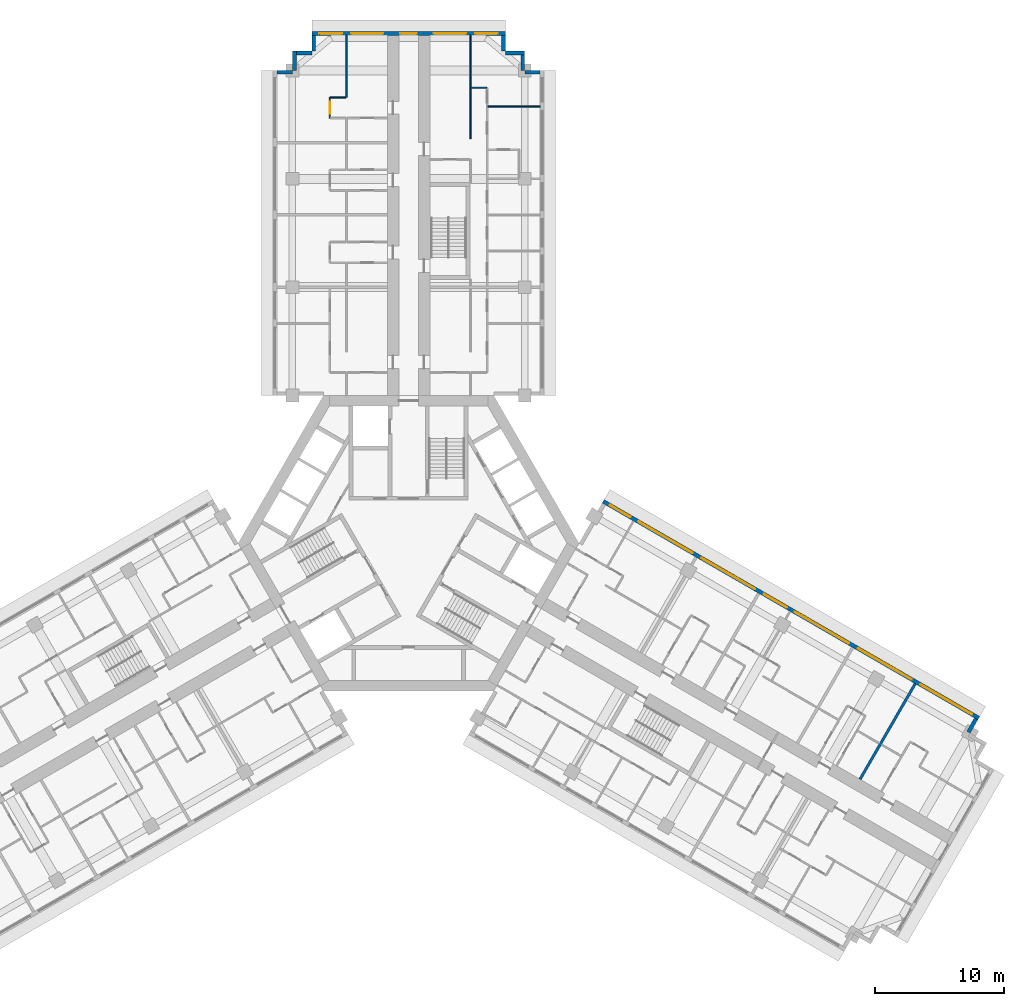
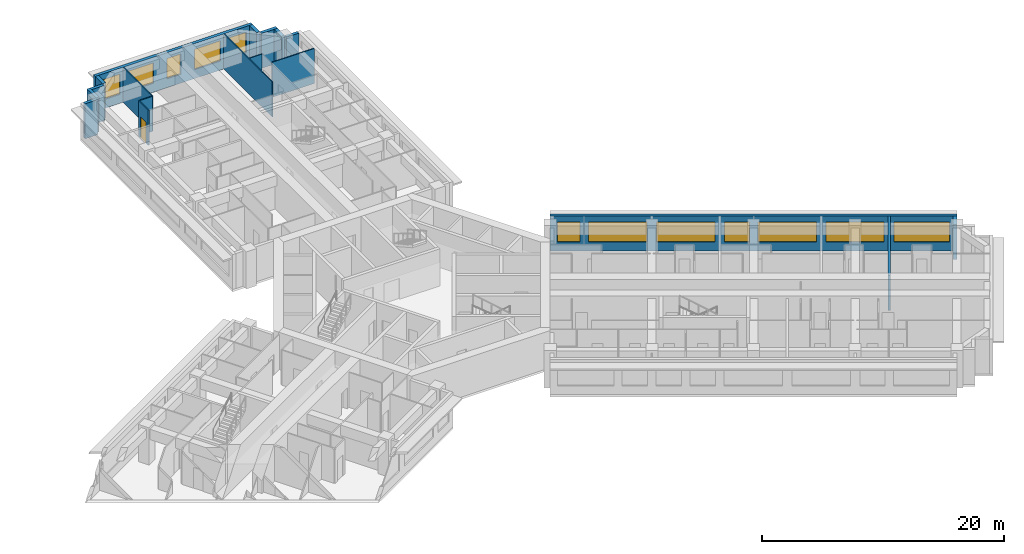
# One storey, part 13 of 15: 18 walls, 12 windows, 1 door, 13 openings.
"""IFC4 building model written with IfcOpenShell, lengths in metres."""

import ifcopenshell
import ifcopenshell.guid

model = None  # the IFC model being written
_history = None  # IfcOwnerHistory: only IFC2X3 demands one
_inside = {}  # id of a spatial element -> (the spatial element, [elements in it])
_under = {}  # id of a project, library or spatial element -> (it, [spatial elements below it])
_declared = {}  # id of a project -> (the project, [libraries it declares])
_typed = {}  # id of a type object -> (the type object, [elements of that type])
_made_of = {}  # id of a material, layer set ... -> (it, [elements and type objects made of it])


def new_model(schema):
    """Start an empty IFC model of exactly this schema.

    Asked for "IFC4X3", IfcOpenShell would pick the latest addendum, in which some entities
    have other attributes; the version numbers below select the first issue.
    IFC2X3 requires an IfcOwnerHistory on every rooted entity: one is made here for all.
    """
    global model, _history
    if schema == "IFC4X3":
        model = ifcopenshell.file(schema_version=(4, 3, 0, 0))
    else:
        model = ifcopenshell.file(schema=schema)
    _inside.clear()
    _under.clear()
    _declared.clear()
    _typed.clear()
    _made_of.clear()
    _history = None
    if model.schema == "IFC2X3":
        org = make("IfcOrganization", Name="unknown")
        user = make(
            "IfcPersonAndOrganization",
            ThePerson=make("IfcPerson", FamilyName="unknown"),
            TheOrganization=org,
        )
        app = make(
            "IfcApplication",
            ApplicationDeveloper=org,
            Version="unknown",
            ApplicationFullName="unknown",
            ApplicationIdentifier="unknown",
        )
        _history = make(
            "IfcOwnerHistory",
            OwningUser=user,
            OwningApplication=app,
            ChangeAction="ADDED",
            CreationDate=0,
        )
    return model


def make(cls, **values):
    """One entity of the class cls with the attributes given. An attribute that is None is left unset."""
    return model.create_entity(
        cls, **{name: value for name, value in values.items() if value is not None}
    )


def rooted(cls, **values):
    """An entity with a GlobalId (a new one), such as an element, a storey or a relation."""
    return make(cls, GlobalId=ifcopenshell.guid.new(), OwnerHistory=_history, **values)


def si_unit(unit_type, name, prefix=None):
    """IfcSIUnit, for example si_unit("LENGTHUNIT", "METRE", prefix="MILLI")."""
    return make("IfcSIUnit", UnitType=unit_type, Prefix=prefix, Name=name)


def assignment(units):
    """IfcUnitAssignment: the units of a project."""
    return None if units is None else make("IfcUnitAssignment", Units=units)


def point(xyz):
    """IfcCartesianPoint."""
    return None if xyz is None else make("IfcCartesianPoint", Coordinates=xyz)


def direction(xyz):
    """IfcDirection."""
    return None if xyz is None else make("IfcDirection", DirectionRatios=xyz)


def frame(location, z_axis=None, x_axis=None):
    """IfcAxis2Placement3D, a coordinate frame: its origin and axes. An axis left out is left unset."""
    return make(
        "IfcAxis2Placement3D",
        Location=point(location),
        Axis=direction(z_axis),
        RefDirection=direction(x_axis),
    )


def frame_2d(location, x_axis=None):
    """IfcAxis2Placement2D, a coordinate frame in the plane: its origin and x axis."""
    return make(
        "IfcAxis2Placement2D", Location=point(location), RefDirection=direction(x_axis)
    )


def origin():
    """The frame at (0, 0, 0) with its axes left unset."""
    return frame((0.0, 0.0, 0.0))


def place(relative_to, where):
    """IfcLocalPlacement: puts the frame where relative to a parent placement (None: the world)."""
    return make(
        "IfcLocalPlacement", PlacementRelTo=relative_to, RelativePlacement=where
    )


def context(
    kind, dimensions, precision=None, world=None, true_north=None, identifier=None
):
    """IfcGeometricRepresentationContext, for example the 3D "Model" context."""
    return make(
        "IfcGeometricRepresentationContext",
        ContextIdentifier=identifier,
        ContextType=kind,
        CoordinateSpaceDimension=dimensions,
        Precision=precision,
        WorldCoordinateSystem=world,
        TrueNorth=true_north,
    )


def subcontext(parent, identifier, kind, view, scale=None):
    """IfcGeometricRepresentationSubContext, for example "Body" below "Model"."""
    return make(
        "IfcGeometricRepresentationSubContext",
        ContextIdentifier=identifier,
        ContextType=kind,
        ParentContext=parent,
        TargetScale=scale,
        TargetView=view,
    )


def project(units=None, contexts=None):
    """IfcProject with its units and contexts."""
    return rooted(
        "IfcProject",
        Name="project",
        RepresentationContexts=contexts,
        UnitsInContext=assignment(units),
    )


def spatial(cls, under=None, at=None, **own):
    """A site, building, storey or space (cls), placed at a placement, below another one or the project."""
    s = rooted(cls, ObjectPlacement=at, **own)
    if under is not None:
        _under.setdefault(under.id(), (under, []))[1].append(s)
    return s


def profile(cls, at=None, kind="AREA", **sizes):
    """A parametric profile (cls). Its sizes go by their IFC names, for example OverallWidth=200.0."""
    return make(cls, ProfileType=kind, Position=at, **sizes)


def rectangle(**sizes):
    """IfcRectangleProfileDef."""
    return profile("IfcRectangleProfileDef", **sizes)


def extrude(swept, where, along, depth):
    """IfcExtrudedAreaSolid: the profile swept, set in the frame where, extruded along a direction by depth."""
    return make(
        "IfcExtrudedAreaSolid",
        SweptArea=swept,
        Position=where,
        ExtrudedDirection=direction(along),
        Depth=depth,
    )


def shape(context_of_items, identifier, shape_type, items):
    """IfcShapeRepresentation: the items that make up one representation, for example the "Body"."""
    return make(
        "IfcShapeRepresentation",
        ContextOfItems=context_of_items,
        RepresentationIdentifier=identifier,
        RepresentationType=shape_type,
        Items=items,
    )


def material(Name=None, Category=None):
    """IfcMaterial."""
    return make("IfcMaterial", Name=Name, Category=Category)


def layer(
    of_material, thickness, ventilated=None, Name=None, Category=None, Priority=None
):
    """IfcMaterialLayer: one layer of a wall or slab, of a material (None: an air gap)."""
    return make(
        "IfcMaterialLayer",
        Material=of_material,
        LayerThickness=thickness,
        IsVentilated=ventilated,
        Name=Name,
        Category=Category,
        Priority=Priority,
    )


def layer_set(layers, Name=None):
    """IfcMaterialLayerSet."""
    return make("IfcMaterialLayerSet", MaterialLayers=layers, LayerSetName=Name)


def made_of(thing, what):
    """Note that an element or type object is made of a material, layer set ...; save() writes the relation."""
    if what is not None:
        _made_of.setdefault(what.id(), (what, []))[1].append(thing)
    return thing


def type_object(cls, material=None, **own):
    """A type object (cls), such as IfcWallType, which elements share."""
    return made_of(rooted(cls, **own), material)


def element(
    cls,
    number,
    at=None,
    inside=None,
    cuts=None,
    type_object=None,
    material=None,
    context=None,
    identifier="Body",
    shape_type=None,
    held_by="IfcProductDefinitionShape",
    body=None,
    shapes=None,
    **own,
):
    """One element of the class cls, such as IfcWall. Its Tag is "e" and its number.

    at: its placement. inside: the storey or other place that contains it. cuts: it is an
    opening in that element (IfcRelVoidsElement). A single representation is given by context,
    identifier, shape_type and body (its items); several are given by shapes. held_by: the class
    of the entity that holds the representations. save() writes the other relations.
    """
    e = rooted(cls, Tag="e%d" % number, ObjectPlacement=at, **own)
    if body is not None:
        shapes = [shape(context, identifier, shape_type, body)]
    if shapes is not None:
        e.Representation = make(held_by, Representations=shapes)
    if inside is not None:
        _inside.setdefault(inside.id(), (inside, []))[1].append(e)
    if cuts is not None:
        rooted(
            "IfcRelVoidsElement", RelatingBuildingElement=cuts, RelatedOpeningElement=e
        )
    if type_object is not None:
        _typed.setdefault(type_object.id(), (type_object, []))[1].append(e)
    return made_of(e, material)


def fill(opening, filler):
    """IfcRelFillsElement: the door or window that sits in an opening."""
    return rooted(
        "IfcRelFillsElement",
        RelatingOpeningElement=opening,
        RelatedBuildingElement=filler,
    )


def aggregate(whole, parts):
    """IfcRelAggregates: a whole, such as a stair, and the parts it consists of."""
    return rooted("IfcRelAggregates", RelatingObject=whole, RelatedObjects=parts)


def save(model, path):
    """Write the relations noted so far, then the file.

    IfcRelAggregates (storeys below a building ...), IfcRelContainedInSpatialStructure (elements
    in a storey), IfcRelDefinesByType, IfcRelAssociatesMaterial and IfcRelDeclares: one each for
    every whole, place, type object, material and project.
    """
    for whole, parts in _under.values():
        aggregate(whole, parts)
    for where, things in _inside.values():
        rooted(
            "IfcRelContainedInSpatialStructure",
            RelatedElements=things,
            RelatingStructure=where,
        )
    for kind, things in _typed.values():
        rooted("IfcRelDefinesByType", RelatedObjects=things, RelatingType=kind)
    for what, things in _made_of.values():
        rooted("IfcRelAssociatesMaterial", RelatedObjects=things, RelatingMaterial=what)
    for by, libraries in _declared.values():
        rooted("IfcRelDeclares", RelatingContext=by, RelatedDefinitions=libraries)
    model.write(path)


model = new_model("IFC4")

# Units and contexts
model_context = context("Model", 3, precision=1e-05, world=origin(), true_north=direction((0.0, 1.0)))
body_context = subcontext(model_context, "Body", "Model", "MODEL_VIEW")
ifc_project = project(units=[si_unit("LENGTHUNIT", "METRE"), si_unit("AREAUNIT", "SQUARE_METRE"), si_unit("VOLUMEUNIT", "CUBIC_METRE"), si_unit("PLANEANGLEUNIT", "RADIAN"), si_unit("MASSUNIT", "GRAM", prefix="KILO")], contexts=[model_context])

# Site, building, storey
site_placement = place(None, origin())
site = spatial("IfcSite", under=ifc_project, at=site_placement, CompositionType="ELEMENT")
building_placement = place(site_placement, origin())
building = spatial("IfcBuilding", under=site, at=building_placement, Name="Impinga Residences", CompositionType="ELEMENT")
storey_placement = place(building_placement, frame((0.0, 0.0, 109.75)))
storey = spatial("IfcBuildingStorey", under=building, at=storey_placement, Name="L26", CompositionType="ELEMENT", Elevation=109.75)

# Walls
ifc_material_1 = material(Name="Terracotta rainscreen on blockwork", Category="masonry")
ifc_layer_1 = layer(ifc_material_1, 0.300048828125)
ifc_layer_set_1 = layer_set([ifc_layer_1], Name="EW1 external wall, terracotta rainscreen on blockwork 300")
wall_type_1 = type_object("IfcWallType", Name="EW1 external wall, terracotta rainscreen on blockwork 300", PredefinedType="SOLIDWALL", material=ifc_layer_set_1)
wall_1_placement = place(storey_placement, frame((-10.199951171875, 36.4814453125, 0.0), z_axis=(0.0, 0.0, 1.0), x_axis=(1.0, 0.0, 0.0)))
element("IfcWall", 1, at=wall_1_placement, inside=storey, type_object=wall_type_1, Name="External wall EW1 L26", PredefinedType="SOLIDWALL", context=body_context, shape_type="SweptSolid", body=[
    extrude(rectangle(XDim=1.199951171875, YDim=0.300048828125, at=frame_2d((0.60009765625, 0.0))), origin(), (0.0, 0.0, 1.0), 3.530029296875),
])
wall_2_placement = place(storey_placement, frame((-8.85009765625, 36.636474609375, 0.0), z_axis=(0.0, 0.0, 1.0), x_axis=(0.0, 1.0, 0.0)))
element("IfcWall", 2, at=wall_2_placement, inside=storey, type_object=wall_type_1, Name="External wall EW1 L26", PredefinedType="SOLIDWALL", context=body_context, shape_type="SweptSolid", body=[
    extrude(rectangle(XDim=1.4951171875, YDim=0.300048828125, at=frame_2d((0.74755859375, 0.0))), origin(), (0.0, 0.0, 1.0), 3.530029296875),
])
wall_3_placement = place(storey_placement, frame((-8.699951171875, 37.9814453125, 0.0), z_axis=(0.0, 0.0, 1.0), x_axis=(1.0, 0.0, 0.0)))
element("IfcWall", 3, at=wall_3_placement, inside=storey, type_object=wall_type_1, Name="External wall EW1 L26", PredefinedType="SOLIDWALL", context=body_context, shape_type="SweptSolid", body=[
    extrude(rectangle(XDim=1.199951171875, YDim=0.300048828125, at=frame_2d((0.60009765625, 0.0))), origin(), (0.0, 0.0, 1.0), 3.530029296875),
])
wall_4_placement = place(storey_placement, frame((-7.35009765625, 38.136474609375, 0.0), z_axis=(0.0, 0.0, 1.0), x_axis=(0.0, 1.0, 0.0)))
element("IfcWall", 4, at=wall_4_placement, inside=storey, type_object=wall_type_1, Name="External wall EW1 L26", PredefinedType="SOLIDWALL", context=body_context, shape_type="SweptSolid", body=[
    extrude(rectangle(XDim=1.195068359375, YDim=0.300048828125, at=frame_2d((0.59765625, 0.0))), origin(), (0.0, 0.0, 1.0), 3.530029296875),
])

# Wall, openings, windows
wall_5_placement = place(storey_placement, frame((-7.5, 39.4814453125, 0.0), z_axis=(0.0, 0.0, 1.0), x_axis=(1.0, 0.0, 0.0)))
wall_5 = element("IfcWall", 5, at=wall_5_placement, inside=storey, type_object=wall_type_1, Name="External wall EW1 L26", PredefinedType="SOLIDWALL", context=body_context, shape_type="SweptSolid", body=[
    extrude(rectangle(XDim=15.0, YDim=0.300048828125, at=frame_2d((7.5, 0.0))), origin(), (0.0, 0.0, 1.0), 3.530029296875),
])
opening_1_placement = place(wall_5_placement, frame((0.60009765625, 0.0, 0.89990234375)))
opening_1 = element("IfcOpeningElement", 6, at=opening_1_placement, cuts=wall_5, Name="Opening W1", PredefinedType="OPENING", context=body_context, shape_type="SweptSolid", body=[
    extrude(rectangle(XDim=1.75, YDim=2.050048828125, at=frame_2d((0.875, 1.02490234375))), frame((0.0, 0.159912109375, 0.0), z_axis=(0.0, -1.0, 0.0), x_axis=(1.0, 0.0, 0.0)), (0.0, 0.0, 1.0), 0.320068359375),
])
opening_2_placement = place(wall_5_placement, frame((3.050048828125, 0.0, 0.89990234375)))
opening_2 = element("IfcOpeningElement", 7, at=opening_2_placement, cuts=wall_5, Name="Opening W2", PredefinedType="OPENING", context=body_context, shape_type="SweptSolid", body=[
    extrude(rectangle(XDim=2.5, YDim=2.050048828125, at=frame_2d((1.25, 1.02490234375))), frame((0.0, 0.159912109375, 0.0), z_axis=(0.0, -1.0, 0.0), x_axis=(1.0, 0.0, 0.0)), (0.0, 0.0, 1.0), 0.320068359375),
])
opening_3_placement = place(wall_5_placement, frame((6.85009765625, 0.0, 0.89990234375)))
opening_3 = element("IfcOpeningElement", 8, at=opening_3_placement, cuts=wall_5, Name="Opening WE1", PredefinedType="OPENING", context=body_context, shape_type="SweptSolid", body=[
    extrude(rectangle(XDim=1.300048828125, YDim=2.050048828125, at=frame_2d((0.64990234375, 1.02490234375))), frame((0.0, 0.159912109375, 0.0), z_axis=(0.0, -1.0, 0.0), x_axis=(1.0, 0.0, 0.0)), (0.0, 0.0, 1.0), 0.320068359375),
])
opening_4_placement = place(wall_5_placement, frame((9.449951171875, 0.0, 0.89990234375)))
opening_4 = element("IfcOpeningElement", 9, at=opening_4_placement, cuts=wall_5, Name="Opening W2", PredefinedType="OPENING", context=body_context, shape_type="SweptSolid", body=[
    extrude(rectangle(XDim=2.5, YDim=2.050048828125, at=frame_2d((1.25, 1.02490234375))), frame((0.0, 0.159912109375, 0.0), z_axis=(0.0, -1.0, 0.0), x_axis=(1.0, 0.0, 0.0)), (0.0, 0.0, 1.0), 0.320068359375),
])
opening_5_placement = place(wall_5_placement, frame((12.64990234375, 0.0, 0.89990234375)))
opening_5 = element("IfcOpeningElement", 10, at=opening_5_placement, cuts=wall_5, Name="Opening W1", PredefinedType="OPENING", context=body_context, shape_type="SweptSolid", body=[
    extrude(rectangle(XDim=1.75, YDim=2.050048828125, at=frame_2d((0.875, 1.02490234375))), frame((0.0, 0.159912109375, 0.0), z_axis=(0.0, -1.0, 0.0), x_axis=(1.0, 0.0, 0.0)), (0.0, 0.0, 1.0), 0.320068359375),
])
ifc_material_2 = material(Name="Aluminium window, clear double glazing", Category="aluminium")
window_type_1 = type_object("IfcWindowType", Name="W1 ribbon window 1750x2050", PartitioningType="SINGLE_PANEL", PredefinedType="WINDOW", material=ifc_material_2)
window_1_placement = place(opening_1_placement, origin())
window_1 = element("IfcWindow", 11, at=window_1_placement, inside=storey, type_object=window_type_1, Name="Window L26", OverallHeight=2.050048828125, OverallWidth=1.75, PartitioningType="SINGLE_PANEL", PredefinedType="WINDOW", context=body_context, shape_type="SweptSolid", body=[
    extrude(rectangle(XDim=1.75, YDim=2.050048828125, at=frame_2d((0.875, 1.02490234375))), frame((0.0, 0.030029296875, 0.0), z_axis=(0.0, -1.0, 0.0), x_axis=(1.0, 0.0, 0.0)), (0.0, 0.0, 1.0), 0.06005859375),
])
fill(opening_1, window_1)
window_2_placement = place(opening_5_placement, origin())
window_2 = element("IfcWindow", 12, at=window_2_placement, inside=storey, type_object=window_type_1, Name="Window L26", OverallHeight=2.050048828125, OverallWidth=1.75, PartitioningType="SINGLE_PANEL", PredefinedType="WINDOW", context=body_context, shape_type="SweptSolid", body=[
    extrude(rectangle(XDim=1.75, YDim=2.050048828125, at=frame_2d((0.875, 1.02490234375))), frame((0.0, 0.030029296875, 0.0), z_axis=(0.0, -1.0, 0.0), x_axis=(1.0, 0.0, 0.0)), (0.0, 0.0, 1.0), 0.06005859375),
])
fill(opening_5, window_2)
window_type_2 = type_object("IfcWindowType", Name="W2 ribbon window 2500x2050", PartitioningType="SINGLE_PANEL", PredefinedType="WINDOW", material=ifc_material_2)
window_3_placement = place(opening_2_placement, origin())
window_3 = element("IfcWindow", 13, at=window_3_placement, inside=storey, type_object=window_type_2, Name="Window L26", OverallHeight=2.050048828125, OverallWidth=2.5, PartitioningType="SINGLE_PANEL", PredefinedType="WINDOW", context=body_context, shape_type="SweptSolid", body=[
    extrude(rectangle(XDim=2.5, YDim=2.050048828125, at=frame_2d((1.25, 1.02490234375))), frame((0.0, 0.030029296875, 0.0), z_axis=(0.0, -1.0, 0.0), x_axis=(1.0, 0.0, 0.0)), (0.0, 0.0, 1.0), 0.06005859375),
])
fill(opening_2, window_3)
window_4_placement = place(opening_4_placement, origin())
window_4 = element("IfcWindow", 14, at=window_4_placement, inside=storey, type_object=window_type_2, Name="Window L26", OverallHeight=2.050048828125, OverallWidth=2.5, PartitioningType="SINGLE_PANEL", PredefinedType="WINDOW", context=body_context, shape_type="SweptSolid", body=[
    extrude(rectangle(XDim=2.5, YDim=2.050048828125, at=frame_2d((1.25, 1.02490234375))), frame((0.0, 0.030029296875, 0.0), z_axis=(0.0, -1.0, 0.0), x_axis=(1.0, 0.0, 0.0)), (0.0, 0.0, 1.0), 0.06005859375),
])
fill(opening_4, window_4)
window_type_3 = type_object("IfcWindowType", Name="WE1 corridor window 1300x2050", PartitioningType="SINGLE_PANEL", PredefinedType="WINDOW", material=ifc_material_2)
window_5_placement = place(opening_3_placement, origin())
window_5 = element("IfcWindow", 15, at=window_5_placement, inside=storey, type_object=window_type_3, Name="Window L26", OverallHeight=2.050048828125, OverallWidth=1.300048828125, PartitioningType="SINGLE_PANEL", PredefinedType="WINDOW", context=body_context, shape_type="SweptSolid", body=[
    extrude(rectangle(XDim=1.300048828125, YDim=2.050048828125, at=frame_2d((0.64990234375, 1.02490234375))), frame((0.0, 0.030029296875, 0.0), z_axis=(0.0, -1.0, 0.0), x_axis=(1.0, 0.0, 0.0)), (0.0, 0.0, 1.0), 0.06005859375),
])
fill(opening_3, window_5)

# Walls
wall_6_placement = place(storey_placement, frame((7.35009765625, 39.33154296875, 0.0), z_axis=(0.0, 0.0, 1.0), x_axis=(0.0, -1.0, 0.0)))
element("IfcWall", 16, at=wall_6_placement, inside=storey, type_object=wall_type_1, Name="External wall EW1 L26", PredefinedType="SOLIDWALL", context=body_context, shape_type="SweptSolid", body=[
    extrude(rectangle(XDim=1.195068359375, YDim=0.300048828125, at=frame_2d((0.59765625, 0.0))), origin(), (0.0, 0.0, 1.0), 3.530029296875),
])
wall_7_placement = place(storey_placement, frame((7.5, 37.9814453125, 0.0), z_axis=(0.0, 0.0, 1.0), x_axis=(1.0, 0.0, 0.0)))
element("IfcWall", 17, at=wall_7_placement, inside=storey, type_object=wall_type_1, Name="External wall EW1 L26", PredefinedType="SOLIDWALL", context=body_context, shape_type="SweptSolid", body=[
    extrude(rectangle(XDim=1.5, YDim=0.300048828125, at=frame_2d((0.75, 0.0))), origin(), (0.0, 0.0, 1.0), 3.530029296875),
])
wall_8_placement = place(storey_placement, frame((8.85009765625, 37.83154296875, 0.0), z_axis=(0.0, 0.0, 1.0), x_axis=(0.0, -1.0, 0.0)))
element("IfcWall", 18, at=wall_8_placement, inside=storey, type_object=wall_type_1, Name="External wall EW1 L26", PredefinedType="SOLIDWALL", context=body_context, shape_type="SweptSolid", body=[
    extrude(rectangle(XDim=1.199951171875, YDim=0.300048828125, at=frame_2d((0.60009765625, 0.0))), origin(), (0.0, 0.0, 1.0), 3.530029296875),
])
wall_9_placement = place(storey_placement, frame((9.0048828125, 36.4814453125, 0.0), z_axis=(0.0, 0.0, 1.0), x_axis=(1.0, 0.0, 0.0)))
element("IfcWall", 19, at=wall_9_placement, inside=storey, type_object=wall_type_1, Name="External wall EW1 L26", PredefinedType="SOLIDWALL", context=body_context, shape_type="SweptSolid", body=[
    extrude(rectangle(XDim=1.195068359375, YDim=0.300048828125, at=frame_2d((0.59765625, 0.0))), origin(), (0.0, 0.0, 1.0), 3.530029296875),
])

# Wall, openings, windows
wall_10_placement = place(storey_placement, frame((15.074951171875, 3.24755859375, 0.0), z_axis=(0.0, 0.0, 1.0), x_axis=(0.866024291668, -0.500001926238, 0.0)))
wall_10 = element("IfcWall", 20, at=wall_10_placement, inside=storey, type_object=wall_type_1, Name="External wall EW1 L26", PredefinedType="SOLIDWALL", context=body_context, shape_type="SweptSolid", body=[
    extrude(rectangle(XDim=33.599853515625, YDim=0.300048828125, at=frame_2d((16.7998046875, 0.0))), origin(), (0.0, 0.0, 1.0), 3.530029296875),
])
opening_6_placement = place(wall_10_placement, frame((0.60009765625, 0.0, 0.89990234375)))
opening_6 = element("IfcOpeningElement", 21, at=opening_6_placement, cuts=wall_10, Name="Opening W15", PredefinedType="OPENING", context=body_context, shape_type="SweptSolid", body=[
    extrude(rectangle(XDim=1.85009765625, YDim=2.050048828125, at=frame_2d((0.925048828125, 1.02490234375))), frame((0.0, 0.159912109375, 0.0), z_axis=(0.0, -1.0, 0.0), x_axis=(1.0, 0.0, 0.0)), (0.0, 0.0, 1.0), 0.320068359375),
])
opening_7_placement = place(wall_10_placement, frame((3.14990234375, 0.0, 0.89990234375)))
opening_7 = element("IfcOpeningElement", 22, at=opening_7_placement, cuts=wall_10, Name="Opening W6", PredefinedType="OPENING", context=body_context, shape_type="SweptSolid", body=[
    extrude(rectangle(XDim=4.85009765625, YDim=2.050048828125, at=frame_2d((2.425048828125, 1.02490234375))), frame((0.0, 0.159912109375, 0.0), z_axis=(0.0, -1.0, 0.0), x_axis=(1.0, 0.0, 0.0)), (0.0, 0.0, 1.0), 0.320068359375),
])
opening_8_placement = place(wall_10_placement, frame((8.800048828125, 0.0, 0.89990234375)))
opening_8 = element("IfcOpeningElement", 23, at=opening_8_placement, cuts=wall_10, Name="Opening W8", PredefinedType="OPENING", context=body_context, shape_type="SweptSolid", body=[
    extrude(rectangle(XDim=4.800048828125, YDim=2.050048828125, at=frame_2d((2.39990234375, 1.02490234375))), frame((0.0, 0.159912109375, 0.0), z_axis=(0.0, -1.0, 0.0), x_axis=(1.0, 0.0, 0.0)), (0.0, 0.0, 1.0), 0.320068359375),
])
opening_9_placement = place(wall_10_placement, frame((14.39990234375, 0.0, 0.89990234375)))
opening_9 = element("IfcOpeningElement", 24, at=opening_9_placement, cuts=wall_10, Name="Opening W14", PredefinedType="OPENING", context=body_context, shape_type="SweptSolid", body=[
    extrude(rectangle(XDim=2.050048828125, YDim=2.050048828125, at=frame_2d((1.02490234375, 1.02490234375))), frame((0.0, 0.159912109375, 0.0), z_axis=(0.0, -1.0, 0.0), x_axis=(1.0, 0.0, 0.0)), (0.0, 0.0, 1.0), 0.320068359375),
])
opening_10_placement = place(wall_10_placement, frame((17.14990234375, 0.0, 0.89990234375)))
opening_10 = element("IfcOpeningElement", 25, at=opening_10_placement, cuts=wall_10, Name="Opening W6", PredefinedType="OPENING", context=body_context, shape_type="SweptSolid", body=[
    extrude(rectangle(XDim=4.85009765625, YDim=2.050048828125, at=frame_2d((2.425048828125, 1.02490234375))), frame((0.0, 0.159912109375, 0.0), z_axis=(0.0, -1.0, 0.0), x_axis=(1.0, 0.0, 0.0)), (0.0, 0.0, 1.0), 0.320068359375),
])
opening_11_placement = place(wall_10_placement, frame((22.800048828125, 0.0, 0.89990234375)))
opening_11 = element("IfcOpeningElement", 26, at=opening_11_placement, cuts=wall_10, Name="Opening W8", PredefinedType="OPENING", context=body_context, shape_type="SweptSolid", body=[
    extrude(rectangle(XDim=4.800048828125, YDim=2.050048828125, at=frame_2d((2.39990234375, 1.02490234375))), frame((0.0, 0.159912109375, 0.0), z_axis=(0.0, -1.0, 0.0), x_axis=(1.0, 0.0, 0.0)), (0.0, 0.0, 1.0), 0.320068359375),
])
opening_12_placement = place(wall_10_placement, frame((28.39990234375, 0.0, 0.89990234375)))
opening_12 = element("IfcOpeningElement", 27, at=opening_12_placement, cuts=wall_10, Name="Opening W3", PredefinedType="OPENING", context=body_context, shape_type="SweptSolid", body=[
    extrude(rectangle(XDim=4.60009765625, YDim=2.050048828125, at=frame_2d((2.300048828125, 1.02490234375))), frame((0.0, 0.159912109375, 0.0), z_axis=(0.0, -1.0, 0.0), x_axis=(1.0, 0.0, 0.0)), (0.0, 0.0, 1.0), 0.320068359375),
])
window_type_4 = type_object("IfcWindowType", Name="W14 ribbon window 2050x2050", PartitioningType="SINGLE_PANEL", PredefinedType="WINDOW", material=ifc_material_2)
window_6_placement = place(opening_9_placement, origin())
window_6 = element("IfcWindow", 28, at=window_6_placement, inside=storey, type_object=window_type_4, Name="Window L26", OverallHeight=2.050048828125, OverallWidth=2.050048828125, PartitioningType="SINGLE_PANEL", PredefinedType="WINDOW", context=body_context, shape_type="SweptSolid", body=[
    extrude(rectangle(XDim=2.050048828125, YDim=2.050048828125, at=frame_2d((1.02490234375, 1.02490234375))), frame((0.0, 0.030029296875, 0.0), z_axis=(0.0, -1.0, 0.0), x_axis=(1.0, 0.0, 0.0)), (0.0, 0.0, 1.0), 0.06005859375),
])
fill(opening_9, window_6)
window_type_5 = type_object("IfcWindowType", Name="W15 ribbon window 1850x2050", PartitioningType="SINGLE_PANEL", PredefinedType="WINDOW", material=ifc_material_2)
window_7_placement = place(opening_6_placement, origin())
window_7 = element("IfcWindow", 29, at=window_7_placement, inside=storey, type_object=window_type_5, Name="Window L26", OverallHeight=2.050048828125, OverallWidth=1.85009765625, PartitioningType="SINGLE_PANEL", PredefinedType="WINDOW", context=body_context, shape_type="SweptSolid", body=[
    extrude(rectangle(XDim=1.85009765625, YDim=2.050048828125, at=frame_2d((0.925048828125, 1.02490234375))), frame((0.0, 0.030029296875, 0.0), z_axis=(0.0, -1.0, 0.0), x_axis=(1.0, 0.0, 0.0)), (0.0, 0.0, 1.0), 0.06005859375),
])
fill(opening_6, window_7)
window_type_6 = type_object("IfcWindowType", Name="W3 ribbon window 4600x2050", PartitioningType="SINGLE_PANEL", PredefinedType="WINDOW", material=ifc_material_2)
window_8_placement = place(opening_12_placement, origin())
window_8 = element("IfcWindow", 30, at=window_8_placement, inside=storey, type_object=window_type_6, Name="Window L26", OverallHeight=2.050048828125, OverallWidth=4.60009765625, PartitioningType="SINGLE_PANEL", PredefinedType="WINDOW", context=body_context, shape_type="SweptSolid", body=[
    extrude(rectangle(XDim=4.60009765625, YDim=2.050048828125, at=frame_2d((2.300048828125, 1.02490234375))), frame((0.0, 0.030029296875, 0.0), z_axis=(0.0, -1.0, 0.0), x_axis=(1.0, 0.0, 0.0)), (0.0, 0.0, 1.0), 0.06005859375),
])
fill(opening_12, window_8)
window_type_7 = type_object("IfcWindowType", Name="W6 ribbon window 4850x2050", PartitioningType="SINGLE_PANEL", PredefinedType="WINDOW", material=ifc_material_2)
window_9_placement = place(opening_7_placement, origin())
window_9 = element("IfcWindow", 31, at=window_9_placement, inside=storey, type_object=window_type_7, Name="Window L26", OverallHeight=2.050048828125, OverallWidth=4.85009765625, PartitioningType="SINGLE_PANEL", PredefinedType="WINDOW", context=body_context, shape_type="SweptSolid", body=[
    extrude(rectangle(XDim=4.85009765625, YDim=2.050048828125, at=frame_2d((2.425048828125, 1.02490234375))), frame((0.0, 0.030029296875, 0.0), z_axis=(0.0, -1.0, 0.0), x_axis=(1.0, 0.0, 0.0)), (0.0, 0.0, 1.0), 0.06005859375),
])
fill(opening_7, window_9)
window_10_placement = place(opening_10_placement, origin())
window_10 = element("IfcWindow", 32, at=window_10_placement, inside=storey, type_object=window_type_7, Name="Window L26", OverallHeight=2.050048828125, OverallWidth=4.85009765625, PartitioningType="SINGLE_PANEL", PredefinedType="WINDOW", context=body_context, shape_type="SweptSolid", body=[
    extrude(rectangle(XDim=4.85009765625, YDim=2.050048828125, at=frame_2d((2.425048828125, 1.02490234375))), frame((0.0, 0.030029296875, 0.0), z_axis=(0.0, -1.0, 0.0), x_axis=(1.0, 0.0, 0.0)), (0.0, 0.0, 1.0), 0.06005859375),
])
fill(opening_10, window_10)
window_type_8 = type_object("IfcWindowType", Name="W8 ribbon window 4800x2050", PartitioningType="SINGLE_PANEL", PredefinedType="WINDOW", material=ifc_material_2)
window_11_placement = place(opening_8_placement, origin())
window_11 = element("IfcWindow", 33, at=window_11_placement, inside=storey, type_object=window_type_8, Name="Window L26", OverallHeight=2.050048828125, OverallWidth=4.800048828125, PartitioningType="SINGLE_PANEL", PredefinedType="WINDOW", context=body_context, shape_type="SweptSolid", body=[
    extrude(rectangle(XDim=4.800048828125, YDim=2.050048828125, at=frame_2d((2.39990234375, 1.02490234375))), frame((0.0, 0.030029296875, 0.0), z_axis=(0.0, -1.0, 0.0), x_axis=(1.0, 0.0, 0.0)), (0.0, 0.0, 1.0), 0.06005859375),
])
fill(opening_8, window_11)
window_12_placement = place(opening_11_placement, origin())
window_12 = element("IfcWindow", 34, at=window_12_placement, inside=storey, type_object=window_type_8, Name="Window L26", OverallHeight=2.050048828125, OverallWidth=4.800048828125, PartitioningType="SINGLE_PANEL", PredefinedType="WINDOW", context=body_context, shape_type="SweptSolid", body=[
    extrude(rectangle(XDim=4.800048828125, YDim=2.050048828125, at=frame_2d((2.39990234375, 1.02490234375))), frame((0.0, 0.030029296875, 0.0), z_axis=(0.0, -1.0, 0.0), x_axis=(1.0, 0.0, 0.0)), (0.0, 0.0, 1.0), 0.06005859375),
])
fill(opening_11, window_12)

# Walls
wall_11_placement = place(storey_placement, frame((43.968505859375, -13.607421875, 0.0), z_axis=(0.0, 0.0, 1.0), x_axis=(-0.500029051137, -0.866008630453, 0.0)))
element("IfcWall", 35, at=wall_11_placement, inside=storey, type_object=wall_type_1, Name="External wall EW1 L26", PredefinedType="SOLIDWALL", context=body_context, shape_type="SweptSolid", body=[
    extrude(rectangle(XDim=1.19482421875, YDim=0.300048828125, at=frame_2d((0.597412109375, 0.0))), origin(), (0.0, 0.0, 1.0), 3.530029296875),
])
ifc_material_3 = material(Name="Gypsum board on steel studs", Category="steel")
ifc_layer_2 = layer(ifc_material_3, 0.10009765625)
ifc_layer_set_2 = layer_set([ifc_layer_2], Name="Gypsum board on steel studs")
wall_type_2 = type_object("IfcWallType", Name="IP1 partition 100", PredefinedType="PARTITIONING", material=ifc_layer_set_2)
wall_12_placement = place(storey_placement, frame((-4.800048828125, 34.531494140625, 0.0), z_axis=(0.0, 0.0, 1.0), x_axis=(0.0, 1.0, 0.0)))
element("IfcWall", 36, at=wall_12_placement, inside=storey, type_object=wall_type_2, Name="Partition L26-NA4:DIV1", PredefinedType="PARTITIONING", context=body_context, shape_type="SweptSolid", body=[
    extrude(rectangle(XDim=4.800048828125, YDim=0.10009765625, at=frame_2d((2.39990234375, 0.0))), origin(), (0.0, 0.0, 1.0), 3.530029296875),
])

# Wall, opening, door
wall_13_placement = place(storey_placement, frame((-6.10009765625, 32.931640625, 0.0), z_axis=(0.0, 0.0, 1.0), x_axis=(0.0, 1.0, 0.0)))
wall_13 = element("IfcWall", 37, at=wall_13_placement, inside=storey, type_object=wall_type_2, Name="Partition L26-NA4:STRIP", PredefinedType="PARTITIONING", context=body_context, shape_type="SweptSolid", body=[
    extrude(rectangle(XDim=1.599853515625, YDim=0.10009765625, at=frame_2d((0.7998046875, 0.0))), origin(), (0.0, 0.0, 1.0), 3.530029296875),
])
opening_13_placement = place(wall_13_placement, frame((0.35009765625, 0.0, 0.0)))
opening_13 = element("IfcOpeningElement", 38, at=opening_13_placement, cuts=wall_13, Name="Opening D2", PredefinedType="OPENING", context=body_context, shape_type="SweptSolid", body=[
    extrude(rectangle(XDim=0.89990234375, YDim=2.10009765625, at=frame_2d((0.449951171875, 1.050048828125))), frame((0.0, 0.06005859375, 0.0), z_axis=(0.0, -1.0, 0.0), x_axis=(1.0, 0.0, 0.0)), (0.0, 0.0, 1.0), 0.1201171875),
])
ifc_material_4 = material(Name="Timber door set", Category="wood")
door_type = type_object("IfcDoorType", Name="D2 internal door 900x2100", OperationType="SINGLE_SWING_LEFT", PredefinedType="DOOR", material=ifc_material_4)
door_placement = place(opening_13_placement, origin())
door = element("IfcDoor", 39, at=door_placement, inside=storey, type_object=door_type, Name="Apartment L26-NA4 room door", OperationType="SINGLE_SWING_LEFT", OverallHeight=2.10009765625, OverallWidth=0.89990234375, PredefinedType="DOOR", context=body_context, shape_type="SweptSolid", body=[
    extrude(rectangle(XDim=0.89990234375, YDim=2.10009765625, at=frame_2d((0.449951171875, 1.050048828125))), frame((0.0, 0.02490234375, 0.0), z_axis=(0.0, -1.0, 0.0), x_axis=(1.0, 0.0, 0.0)), (0.0, 0.0, 1.0), 0.050048828125),
])
fill(opening_13, door)

# Walls
wall_14_placement = place(storey_placement, frame((-4.85009765625, 34.531494140625, 0.0), z_axis=(0.0, 0.0, 1.0), x_axis=(-1.0, 0.0, 0.0)))
element("IfcWall", 40, at=wall_14_placement, inside=storey, type_object=wall_type_2, Name="Partition L26-NA4:SE1", PredefinedType="PARTITIONING", context=body_context, shape_type="SweptSolid", body=[
    extrude(rectangle(XDim=1.199951171875, YDim=0.10009765625, at=frame_2d((0.60009765625, 0.0))), origin(), (0.0, 0.0, 1.0), 3.530029296875),
])
wall_15_placement = place(storey_placement, frame((4.800048828125, 31.33154296875, 0.0), z_axis=(0.0, 0.0, 1.0), x_axis=(0.0, 1.0, 0.0)))
element("IfcWall", 41, at=wall_15_placement, inside=storey, type_object=wall_type_2, Name="Partition L26-NF2:DIV2", PredefinedType="PARTITIONING", context=body_context, shape_type="SweptSolid", body=[
    extrude(rectangle(XDim=8.0, YDim=0.10009765625, at=frame_2d((4.0, 0.0))), origin(), (0.0, 0.0, 1.0), 3.530029296875),
])
wall_16_placement = place(storey_placement, frame((4.85009765625, 35.281494140625, 0.0), z_axis=(0.0, 0.0, 1.0), x_axis=(1.0, 0.0, 0.0)))
element("IfcWall", 42, at=wall_16_placement, inside=storey, type_object=wall_type_2, Name="Partition L26-NF2:SE1", PredefinedType="PARTITIONING", context=body_context, shape_type="SweptSolid", body=[
    extrude(rectangle(XDim=1.199951171875, YDim=0.10009765625, at=frame_2d((0.60009765625, 0.0))), origin(), (0.0, 0.0, 1.0), 3.530029296875),
])
wall_17_placement = place(storey_placement, frame((6.14990234375, 33.83154296875, 0.0), z_axis=(0.0, 0.0, 1.0), x_axis=(1.0, 0.0, 0.0)))
element("IfcWall", 43, at=wall_17_placement, inside=storey, type_object=wall_type_2, Name="Partition L26-NF2:OB4", PredefinedType="PARTITIONING", context=body_context, shape_type="SweptSolid", body=[
    extrude(rectangle(XDim=4.050048828125, YDim=0.10009765625, at=frame_2d((2.02490234375, 0.0))), origin(), (0.0, 0.0, 1.0), 3.530029296875),
])
ifc_material_5 = material(Name="Concrete blockwork", Category="masonry")
ifc_layer_3 = layer(ifc_material_5, 0.199951171875)
ifc_layer_set_3 = layer_set([ifc_layer_3], Name="PW1 party wall between apartments 200")
wall_type_3 = type_object("IfcWallType", Name="PW1 party wall between apartments 200", PredefinedType="SOLIDWALL", material=ifc_layer_set_3)
wall_18_placement = place(storey_placement, frame((34.9736328125, -18.286865234375, 0.0), z_axis=(0.0, 0.0, 1.0), x_axis=(0.500011643316, 0.866018681408, 0.0)))
element("IfcWall", 44, at=wall_18_placement, inside=storey, type_object=wall_type_3, Name="Party wall between apartments L26-EA4:PARTY", PredefinedType="SOLIDWALL", context=body_context, shape_type="SweptSolid", body=[
    extrude(rectangle(XDim=8.550048828125, YDim=0.199951171875, at=frame_2d((4.27490234375, 0.0))), origin(), (0.0, 0.0, 1.0), 3.530029296875),
])

save(model, "model.ifc")
